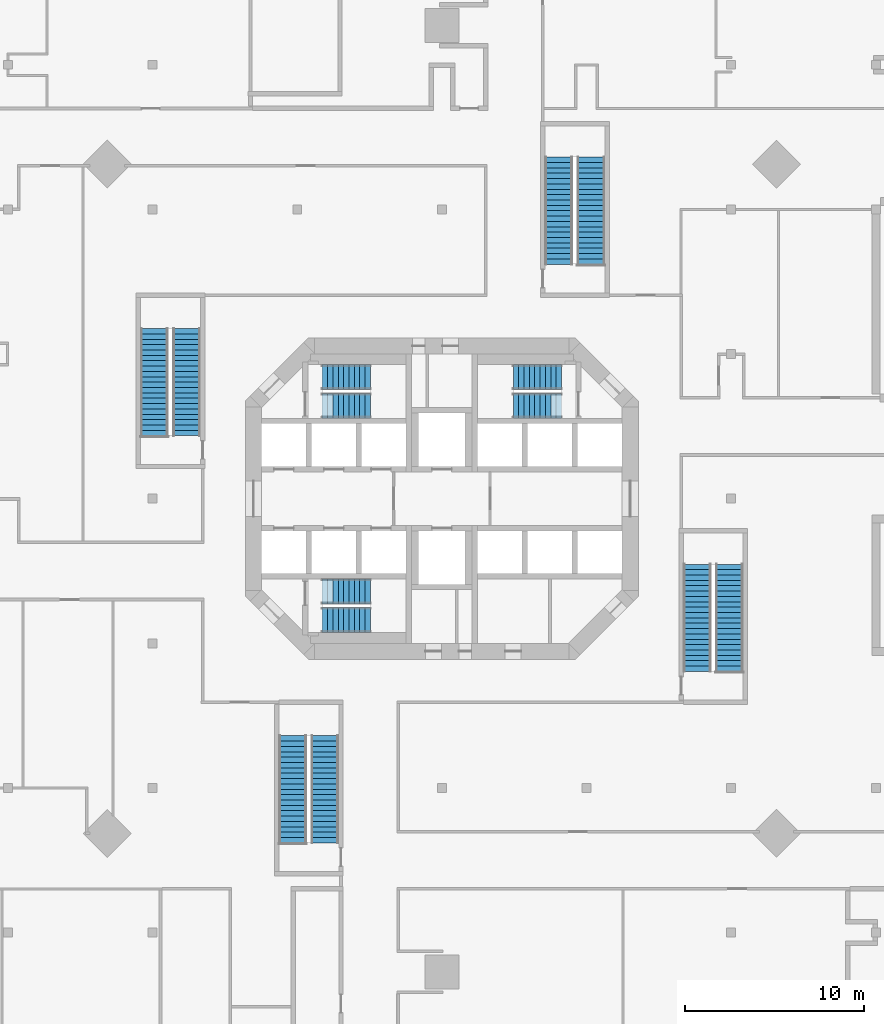
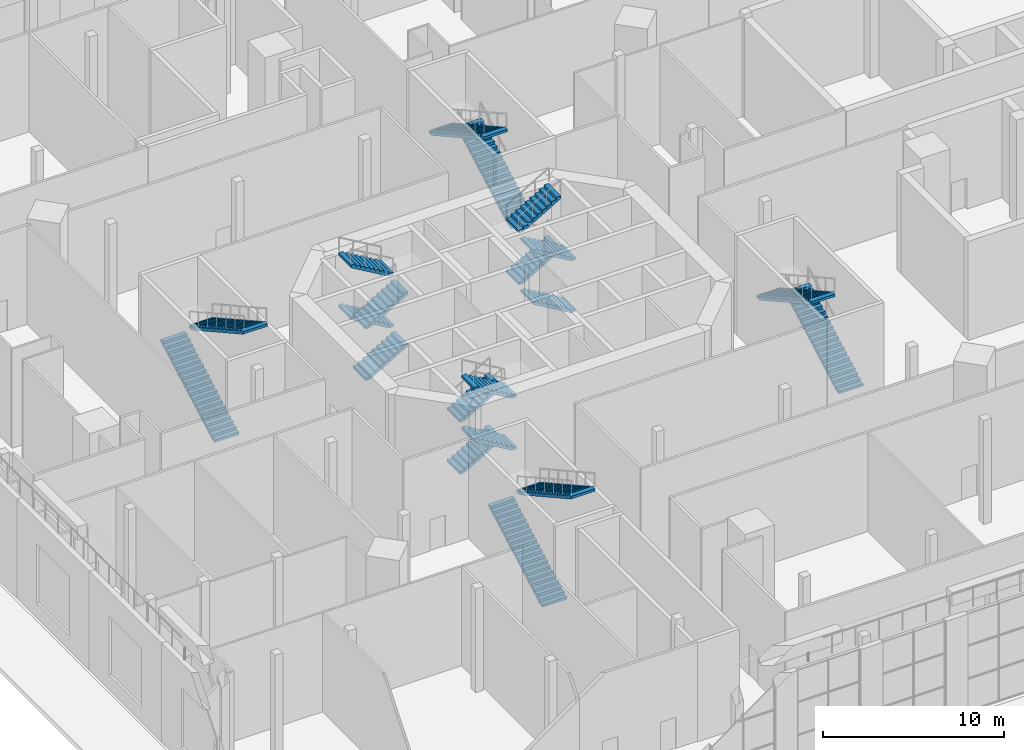
# One storey, part 17 of 21: 20 stair flights, 7 elements without a shape of their own.
"""IFC4 building model written with IfcOpenShell, lengths in metres."""

from ifc_helpers import new_model, si_unit, direction, frame, origin, place, context, subcontext, project, spatial, polyline, outline, extrude, material, type_object, element, aggregate, save


model = new_model("IFC4")

# Units and contexts
model_context = context("Model", 3, precision=1e-05, world=origin(), true_north=direction((0.0, 1.0)))
body_context = subcontext(model_context, "Body", "Model", "MODEL_VIEW")
ifc_project = project(units=[si_unit("LENGTHUNIT", "METRE"), si_unit("AREAUNIT", "SQUARE_METRE"), si_unit("VOLUMEUNIT", "CUBIC_METRE"), si_unit("PLANEANGLEUNIT", "RADIAN"), si_unit("MASSUNIT", "GRAM", prefix="KILO")], contexts=[model_context])

# Site, building, storey
site_placement = place(None, origin())
site = spatial("IfcSite", under=ifc_project, at=site_placement, CompositionType="ELEMENT")
building_placement = place(site_placement, origin())
building = spatial("IfcBuilding", under=site, at=building_placement, Name="Torre Triforio", CompositionType="ELEMENT")
storey_placement = place(building_placement, frame((0.0, 0.0, 6.0)))
storey = spatial("IfcBuildingStorey", under=building, at=storey_placement, Name="L01", CompositionType="ELEMENT", Elevation=6.0)

# Stair, stair flights
ifc_material = material(Name="Concrete C40", Category="concrete")
stair_type_1 = type_object("IfcStairType", Name="Egress stair 1400 clear", PredefinedType="NOTDEFINED", material=ifc_material)
stair_1_placement = place(storey_placement, origin())
stair_1 = element("IfcStair", 1, at=stair_1_placement, inside=storey, type_object=stair_type_1, Name="Exit stair PS1 L01 to L02", PredefinedType="NOTDEFINED")
stair_flight_type_1 = type_object("IfcStairFlightType", Name="Egress stair flight 1400", PredefinedType="STRAIGHT", material=ifc_material)
stair_flight_1_placement = place(storey_placement, frame((-16.10009765625, 3.52490234375, 0.0), z_axis=(0.0, 0.0, 1.0), x_axis=(0.0, 1.0, 0.0)))
stair_flight_1 = element("IfcStairFlight", 2, at=stair_flight_1_placement, type_object=stair_flight_type_1, Name="PS1 flight 1", NumberOfRisers=21, NumberOfTreads=20, PredefinedType="STRAIGHT", RiserHeight=0.166666667, TreadLength=0.3, context=body_context, shape_type="SweptSolid", body=[
    extrude(outline(polyline([(0.0, 0.0), (0.0, 0.166748046875), (0.300048828125, 0.166748046875), (0.300048828125, 0.333251953125), (0.60009765625, 0.333251953125), (0.60009765625, 0.5), (0.89990234375, 0.5), (0.89990234375, 0.666748046875), (1.199951171875, 0.666748046875), (1.199951171875, 0.833251953125), (1.5, 0.833251953125), (1.5, 1.0), (1.800048828125, 1.0), (1.800048828125, 1.166748046875), (2.10009765625, 1.166748046875), (2.10009765625, 1.333251953125), (2.39990234375, 1.333251953125), (2.39990234375, 1.5), (2.699951171875, 1.5), (2.699951171875, 1.666748046875), (3.0, 1.666748046875), (3.0, 1.833251953125), (3.300048828125, 1.833251953125), (3.300048828125, 2.0), (3.60009765625, 2.0), (3.60009765625, 2.166748046875), (3.89990234375, 2.166748046875), (3.89990234375, 2.333251953125), (4.199951171875, 2.333251953125), (4.199951171875, 2.5), (4.5, 2.5), (4.5, 2.666748046875), (4.800048828125, 2.666748046875), (4.800048828125, 2.833251953125), (5.10009765625, 2.833251953125), (5.10009765625, 3.0), (5.39990234375, 3.0), (5.39990234375, 3.166748046875), (5.699951171875, 3.166748046875), (5.699951171875, 3.333251953125), (6.0, 3.333251953125), (6.0, 3.5), (6.0, 3.161865234375), (0.30859375, 0.0), (0.0, 0.0)])), frame((0.0, 0.77490234375, 0.0), z_axis=(0.0, -1.0, 0.0), x_axis=(1.0, 0.0, 0.0)), (0.0, 0.0, 1.0), 1.550048828125),
])
stair_flight_2_placement = place(storey_placement, frame((-14.300048828125, 9.52490234375, 3.5), z_axis=(0.0, 0.0, 1.0), x_axis=(0.0, -1.0, 0.0)))
stair_flight_2 = element("IfcStairFlight", 3, at=stair_flight_2_placement, type_object=stair_flight_type_1, Name="PS1 flight 2", NumberOfRisers=21, NumberOfTreads=20, PredefinedType="STRAIGHT", RiserHeight=0.166666667, TreadLength=0.3, context=body_context, shape_type="SweptSolid", body=[
    extrude(outline(polyline([(0.0, 0.0), (0.0, 0.166748046875), (0.300048828125, 0.166748046875), (0.300048828125, 0.333251953125), (0.60009765625, 0.333251953125), (0.60009765625, 0.5), (0.89990234375, 0.5), (0.89990234375, 0.666748046875), (1.199951171875, 0.666748046875), (1.199951171875, 0.833251953125), (1.5, 0.833251953125), (1.5, 1.0), (1.800048828125, 1.0), (1.800048828125, 1.166748046875), (2.10009765625, 1.166748046875), (2.10009765625, 1.333251953125), (2.39990234375, 1.333251953125), (2.39990234375, 1.5), (2.699951171875, 1.5), (2.699951171875, 1.666748046875), (3.0, 1.666748046875), (3.0, 1.833251953125), (3.300048828125, 1.833251953125), (3.300048828125, 2.0), (3.60009765625, 2.0), (3.60009765625, 2.166748046875), (3.89990234375, 2.166748046875), (3.89990234375, 2.333251953125), (4.199951171875, 2.333251953125), (4.199951171875, 2.5), (4.5, 2.5), (4.5, 2.666748046875), (4.800048828125, 2.666748046875), (4.800048828125, 2.833251953125), (5.10009765625, 2.833251953125), (5.10009765625, 3.0), (5.39990234375, 3.0), (5.39990234375, 3.166748046875), (5.699951171875, 3.166748046875), (5.699951171875, 3.333251953125), (6.0, 3.333251953125), (6.0, 3.5), (6.0, 3.161865234375), (0.30859375, 0.0), (0.0, 0.0)])), frame((0.0, 0.77490234375, 0.0), z_axis=(0.0, -1.0, 0.0), x_axis=(1.0, 0.0, 0.0)), (0.0, 0.0, 1.0), 1.550048828125),
])
aggregate(stair_1, [stair_flight_1, stair_flight_2])

stair_2_placement = place(storey_placement, origin())
stair_2 = element("IfcStair", 4, at=stair_2_placement, inside=storey, type_object=stair_type_1, Name="Exit stair PS2 L01 to L02", PredefinedType="NOTDEFINED")
stair_flight_3_placement = place(storey_placement, frame((16.10009765625, -9.675048828125, 0.0), z_axis=(0.0, 0.0, 1.0), x_axis=(0.0, 1.0, 0.0)))
stair_flight_3 = element("IfcStairFlight", 5, at=stair_flight_3_placement, type_object=stair_flight_type_1, Name="PS2 flight 1", NumberOfRisers=21, NumberOfTreads=20, PredefinedType="STRAIGHT", RiserHeight=0.166666667, TreadLength=0.3, context=body_context, shape_type="SweptSolid", body=[
    extrude(outline(polyline([(0.0, 0.0), (0.0, 0.166748046875), (0.300048828125, 0.166748046875), (0.300048828125, 0.333251953125), (0.60009765625, 0.333251953125), (0.60009765625, 0.5), (0.89990234375, 0.5), (0.89990234375, 0.666748046875), (1.199951171875, 0.666748046875), (1.199951171875, 0.833251953125), (1.5, 0.833251953125), (1.5, 1.0), (1.800048828125, 1.0), (1.800048828125, 1.166748046875), (2.10009765625, 1.166748046875), (2.10009765625, 1.333251953125), (2.39990234375, 1.333251953125), (2.39990234375, 1.5), (2.699951171875, 1.5), (2.699951171875, 1.666748046875), (3.0, 1.666748046875), (3.0, 1.833251953125), (3.300048828125, 1.833251953125), (3.300048828125, 2.0), (3.60009765625, 2.0), (3.60009765625, 2.166748046875), (3.89990234375, 2.166748046875), (3.89990234375, 2.333251953125), (4.199951171875, 2.333251953125), (4.199951171875, 2.5), (4.5, 2.5), (4.5, 2.666748046875), (4.800048828125, 2.666748046875), (4.800048828125, 2.833251953125), (5.10009765625, 2.833251953125), (5.10009765625, 3.0), (5.39990234375, 3.0), (5.39990234375, 3.166748046875), (5.699951171875, 3.166748046875), (5.699951171875, 3.333251953125), (6.0, 3.333251953125), (6.0, 3.5), (6.0, 3.161865234375), (0.30859375, 0.0), (0.0, 0.0)])), frame((0.0, 0.77490234375, 0.0), z_axis=(0.0, -1.0, 0.0), x_axis=(1.0, 0.0, 0.0)), (0.0, 0.0, 1.0), 1.550048828125),
])
stair_flight_4_placement = place(storey_placement, frame((14.300048828125, -3.675048828125, 3.5), z_axis=(0.0, 0.0, 1.0), x_axis=(0.0, -1.0, 0.0)))
stair_flight_4 = element("IfcStairFlight", 6, at=stair_flight_4_placement, type_object=stair_flight_type_1, Name="PS2 flight 2", NumberOfRisers=21, NumberOfTreads=20, PredefinedType="STRAIGHT", RiserHeight=0.166666667, TreadLength=0.3, context=body_context, shape_type="SweptSolid", body=[
    extrude(outline(polyline([(0.0, 0.0), (0.0, 0.166748046875), (0.300048828125, 0.166748046875), (0.300048828125, 0.333251953125), (0.60009765625, 0.333251953125), (0.60009765625, 0.5), (0.89990234375, 0.5), (0.89990234375, 0.666748046875), (1.199951171875, 0.666748046875), (1.199951171875, 0.833251953125), (1.5, 0.833251953125), (1.5, 1.0), (1.800048828125, 1.0), (1.800048828125, 1.166748046875), (2.10009765625, 1.166748046875), (2.10009765625, 1.333251953125), (2.39990234375, 1.333251953125), (2.39990234375, 1.5), (2.699951171875, 1.5), (2.699951171875, 1.666748046875), (3.0, 1.666748046875), (3.0, 1.833251953125), (3.300048828125, 1.833251953125), (3.300048828125, 2.0), (3.60009765625, 2.0), (3.60009765625, 2.166748046875), (3.89990234375, 2.166748046875), (3.89990234375, 2.333251953125), (4.199951171875, 2.333251953125), (4.199951171875, 2.5), (4.5, 2.5), (4.5, 2.666748046875), (4.800048828125, 2.666748046875), (4.800048828125, 2.833251953125), (5.10009765625, 2.833251953125), (5.10009765625, 3.0), (5.39990234375, 3.0), (5.39990234375, 3.166748046875), (5.699951171875, 3.166748046875), (5.699951171875, 3.333251953125), (6.0, 3.333251953125), (6.0, 3.5), (6.0, 3.161865234375), (0.30859375, 0.0), (0.0, 0.0)])), frame((0.0, 0.77490234375, 0.0), z_axis=(0.0, -1.0, 0.0), x_axis=(1.0, 0.0, 0.0)), (0.0, 0.0, 1.0), 1.550048828125),
])
aggregate(stair_2, [stair_flight_3, stair_flight_4])

stair_3_placement = place(storey_placement, origin())
stair_3 = element("IfcStair", 7, at=stair_3_placement, inside=storey, type_object=stair_type_1, Name="Exit stair PS3 L01 to L02", PredefinedType="NOTDEFINED")
stair_flight_5_placement = place(storey_placement, frame((-8.35009765625, -19.27490234375, 0.0), z_axis=(0.0, 0.0, 1.0), x_axis=(0.0, 1.0, 0.0)))
stair_flight_5 = element("IfcStairFlight", 8, at=stair_flight_5_placement, type_object=stair_flight_type_1, Name="PS3 flight 1", NumberOfRisers=21, NumberOfTreads=20, PredefinedType="STRAIGHT", RiserHeight=0.166666667, TreadLength=0.3, context=body_context, shape_type="SweptSolid", body=[
    extrude(outline(polyline([(0.0, 0.0), (0.0, 0.166748046875), (0.300048828125, 0.166748046875), (0.300048828125, 0.333251953125), (0.60009765625, 0.333251953125), (0.60009765625, 0.5), (0.89990234375, 0.5), (0.89990234375, 0.666748046875), (1.199951171875, 0.666748046875), (1.199951171875, 0.833251953125), (1.5, 0.833251953125), (1.5, 1.0), (1.800048828125, 1.0), (1.800048828125, 1.166748046875), (2.10009765625, 1.166748046875), (2.10009765625, 1.333251953125), (2.39990234375, 1.333251953125), (2.39990234375, 1.5), (2.699951171875, 1.5), (2.699951171875, 1.666748046875), (3.0, 1.666748046875), (3.0, 1.833251953125), (3.300048828125, 1.833251953125), (3.300048828125, 2.0), (3.60009765625, 2.0), (3.60009765625, 2.166748046875), (3.89990234375, 2.166748046875), (3.89990234375, 2.333251953125), (4.199951171875, 2.333251953125), (4.199951171875, 2.5), (4.5, 2.5), (4.5, 2.666748046875), (4.800048828125, 2.666748046875), (4.800048828125, 2.833251953125), (5.10009765625, 2.833251953125), (5.10009765625, 3.0), (5.39990234375, 3.0), (5.39990234375, 3.166748046875), (5.699951171875, 3.166748046875), (5.699951171875, 3.333251953125), (6.0, 3.333251953125), (6.0, 3.5), (6.0, 3.161865234375), (0.30859375, 0.0), (0.0, 0.0)])), frame((0.0, 0.77490234375, 0.0), z_axis=(0.0, -1.0, 0.0), x_axis=(1.0, 0.0, 0.0)), (0.0, 0.0, 1.0), 1.550048828125),
])
stair_flight_6_placement = place(storey_placement, frame((-6.550048828125, -13.27490234375, 3.5), z_axis=(0.0, 0.0, 1.0), x_axis=(0.0, -1.0, 0.0)))
stair_flight_6 = element("IfcStairFlight", 9, at=stair_flight_6_placement, type_object=stair_flight_type_1, Name="PS3 flight 2", NumberOfRisers=21, NumberOfTreads=20, PredefinedType="STRAIGHT", RiserHeight=0.166666667, TreadLength=0.3, context=body_context, shape_type="SweptSolid", body=[
    extrude(outline(polyline([(0.0, 0.0), (0.0, 0.166748046875), (0.300048828125, 0.166748046875), (0.300048828125, 0.333251953125), (0.60009765625, 0.333251953125), (0.60009765625, 0.5), (0.89990234375, 0.5), (0.89990234375, 0.666748046875), (1.199951171875, 0.666748046875), (1.199951171875, 0.833251953125), (1.5, 0.833251953125), (1.5, 1.0), (1.800048828125, 1.0), (1.800048828125, 1.166748046875), (2.10009765625, 1.166748046875), (2.10009765625, 1.333251953125), (2.39990234375, 1.333251953125), (2.39990234375, 1.5), (2.699951171875, 1.5), (2.699951171875, 1.666748046875), (3.0, 1.666748046875), (3.0, 1.833251953125), (3.300048828125, 1.833251953125), (3.300048828125, 2.0), (3.60009765625, 2.0), (3.60009765625, 2.166748046875), (3.89990234375, 2.166748046875), (3.89990234375, 2.333251953125), (4.199951171875, 2.333251953125), (4.199951171875, 2.5), (4.5, 2.5), (4.5, 2.666748046875), (4.800048828125, 2.666748046875), (4.800048828125, 2.833251953125), (5.10009765625, 2.833251953125), (5.10009765625, 3.0), (5.39990234375, 3.0), (5.39990234375, 3.166748046875), (5.699951171875, 3.166748046875), (5.699951171875, 3.333251953125), (6.0, 3.333251953125), (6.0, 3.5), (6.0, 3.161865234375), (0.30859375, 0.0), (0.0, 0.0)])), frame((0.0, 0.77490234375, 0.0), z_axis=(0.0, -1.0, 0.0), x_axis=(1.0, 0.0, 0.0)), (0.0, 0.0, 1.0), 1.550048828125),
])
aggregate(stair_3, [stair_flight_5, stair_flight_6])

stair_4_placement = place(storey_placement, origin())
stair_4 = element("IfcStair", 10, at=stair_4_placement, inside=storey, type_object=stair_type_1, Name="Exit stair PS4 L01 to L02", PredefinedType="NOTDEFINED")
stair_flight_7_placement = place(storey_placement, frame((8.35009765625, 13.125, 0.0), z_axis=(0.0, 0.0, 1.0), x_axis=(0.0, 1.0, 0.0)))
stair_flight_7 = element("IfcStairFlight", 11, at=stair_flight_7_placement, type_object=stair_flight_type_1, Name="PS4 flight 1", NumberOfRisers=21, NumberOfTreads=20, PredefinedType="STRAIGHT", RiserHeight=0.166666667, TreadLength=0.3, context=body_context, shape_type="SweptSolid", body=[
    extrude(outline(polyline([(0.0, 0.0), (0.0, 0.166748046875), (0.300048828125, 0.166748046875), (0.300048828125, 0.333251953125), (0.60009765625, 0.333251953125), (0.60009765625, 0.5), (0.89990234375, 0.5), (0.89990234375, 0.666748046875), (1.199951171875, 0.666748046875), (1.199951171875, 0.833251953125), (1.5, 0.833251953125), (1.5, 1.0), (1.800048828125, 1.0), (1.800048828125, 1.166748046875), (2.10009765625, 1.166748046875), (2.10009765625, 1.333251953125), (2.39990234375, 1.333251953125), (2.39990234375, 1.5), (2.699951171875, 1.5), (2.699951171875, 1.666748046875), (3.0, 1.666748046875), (3.0, 1.833251953125), (3.300048828125, 1.833251953125), (3.300048828125, 2.0), (3.60009765625, 2.0), (3.60009765625, 2.166748046875), (3.89990234375, 2.166748046875), (3.89990234375, 2.333251953125), (4.199951171875, 2.333251953125), (4.199951171875, 2.5), (4.5, 2.5), (4.5, 2.666748046875), (4.800048828125, 2.666748046875), (4.800048828125, 2.833251953125), (5.10009765625, 2.833251953125), (5.10009765625, 3.0), (5.39990234375, 3.0), (5.39990234375, 3.166748046875), (5.699951171875, 3.166748046875), (5.699951171875, 3.333251953125), (6.0, 3.333251953125), (6.0, 3.5), (6.0, 3.161865234375), (0.30859375, 0.0), (0.0, 0.0)])), frame((0.0, 0.77490234375, 0.0), z_axis=(0.0, -1.0, 0.0), x_axis=(1.0, 0.0, 0.0)), (0.0, 0.0, 1.0), 1.550048828125),
])
stair_flight_8_placement = place(storey_placement, frame((6.550048828125, 19.125, 3.5), z_axis=(0.0, 0.0, 1.0), x_axis=(0.0, -1.0, 0.0)))
stair_flight_8 = element("IfcStairFlight", 12, at=stair_flight_8_placement, type_object=stair_flight_type_1, Name="PS4 flight 2", NumberOfRisers=21, NumberOfTreads=20, PredefinedType="STRAIGHT", RiserHeight=0.166666667, TreadLength=0.3, context=body_context, shape_type="SweptSolid", body=[
    extrude(outline(polyline([(0.0, 0.0), (0.0, 0.166748046875), (0.300048828125, 0.166748046875), (0.300048828125, 0.333251953125), (0.60009765625, 0.333251953125), (0.60009765625, 0.5), (0.89990234375, 0.5), (0.89990234375, 0.666748046875), (1.199951171875, 0.666748046875), (1.199951171875, 0.833251953125), (1.5, 0.833251953125), (1.5, 1.0), (1.800048828125, 1.0), (1.800048828125, 1.166748046875), (2.10009765625, 1.166748046875), (2.10009765625, 1.333251953125), (2.39990234375, 1.333251953125), (2.39990234375, 1.5), (2.699951171875, 1.5), (2.699951171875, 1.666748046875), (3.0, 1.666748046875), (3.0, 1.833251953125), (3.300048828125, 1.833251953125), (3.300048828125, 2.0), (3.60009765625, 2.0), (3.60009765625, 2.166748046875), (3.89990234375, 2.166748046875), (3.89990234375, 2.333251953125), (4.199951171875, 2.333251953125), (4.199951171875, 2.5), (4.5, 2.5), (4.5, 2.666748046875), (4.800048828125, 2.666748046875), (4.800048828125, 2.833251953125), (5.10009765625, 2.833251953125), (5.10009765625, 3.0), (5.39990234375, 3.0), (5.39990234375, 3.166748046875), (5.699951171875, 3.166748046875), (5.699951171875, 3.333251953125), (6.0, 3.333251953125), (6.0, 3.5), (6.0, 3.161865234375), (0.30859375, 0.0), (0.0, 0.0)])), frame((0.0, 0.77490234375, 0.0), z_axis=(0.0, -1.0, 0.0), x_axis=(1.0, 0.0, 0.0)), (0.0, 0.0, 1.0), 1.550048828125),
])
aggregate(stair_4, [stair_flight_7, stair_flight_8])

stair_type_2 = type_object("IfcStairType", Name="STAIR DOUBLE RETURN", PredefinedType="DOUBLE_RETURN_STAIR", material=ifc_material)
stair_5_placement = place(storey_placement, origin())
stair_5 = element("IfcStair", 13, at=stair_5_placement, inside=storey, type_object=stair_type_2, Name="Exit stair 1", PredefinedType="DOUBLE_RETURN_STAIR")
stair_flight_type_2 = type_object("IfcStairFlightType", Name="STAIR FLIGHT 1400", PredefinedType="STRAIGHT", material=ifc_material)
stair_flight_9_placement = place(storey_placement, frame((-6.699951171875, 5.199951171875, 0.0), z_axis=(0.0, 0.0, 1.0), x_axis=(1.0, 0.0, 0.0)))
stair_flight_9 = element("IfcStairFlight", 14, at=stair_flight_9_placement, type_object=stair_flight_type_2, Name="ST1 flight 1", NumberOfRisers=10, NumberOfTreads=9, PredefinedType="STRAIGHT", RiserHeight=0.175, TreadLength=0.3, context=body_context, shape_type="SweptSolid", body=[
    extrude(outline(polyline([(0.0, 0.0), (0.0, 0.175048828125), (0.300048828125, 0.175048828125), (0.300048828125, 0.35009765625), (0.60009765625, 0.35009765625), (0.60009765625, 0.52490234375), (0.89990234375, 0.52490234375), (0.89990234375, 0.699951171875), (1.199951171875, 0.699951171875), (1.199951171875, 0.875), (1.5, 0.875), (1.5, 1.050048828125), (1.800048828125, 1.050048828125), (1.800048828125, 1.22509765625), (2.10009765625, 1.22509765625), (2.10009765625, 1.39990234375), (2.39990234375, 1.39990234375), (2.39990234375, 1.574951171875), (2.699951171875, 1.574951171875), (2.699951171875, 1.75), (2.699951171875, 1.4013671875), (0.297607421875, 0.0), (0.0, 0.0)])), frame((0.0, 0.699951171875, 0.0), z_axis=(0.0, -1.0, 0.0), x_axis=(1.0, 0.0, 0.0)), (0.0, 0.0, 1.0), 1.39990234375),
])
stair_flight_10_placement = place(storey_placement, frame((-4.0, 6.800048828125, 1.75), z_axis=(0.0, 0.0, 1.0), x_axis=(-1.0, 0.0, 0.0)))
stair_flight_10 = element("IfcStairFlight", 15, at=stair_flight_10_placement, type_object=stair_flight_type_2, Name="ST1 flight 2", NumberOfRisers=10, NumberOfTreads=9, PredefinedType="STRAIGHT", RiserHeight=0.175, TreadLength=0.3, context=body_context, shape_type="SweptSolid", body=[
    extrude(outline(polyline([(0.0, 0.0), (0.0, 0.175048828125), (0.300048828125, 0.175048828125), (0.300048828125, 0.35009765625), (0.60009765625, 0.35009765625), (0.60009765625, 0.52490234375), (0.89990234375, 0.52490234375), (0.89990234375, 0.699951171875), (1.199951171875, 0.699951171875), (1.199951171875, 0.875), (1.5, 0.875), (1.5, 1.050048828125), (1.800048828125, 1.050048828125), (1.800048828125, 1.22509765625), (2.10009765625, 1.22509765625), (2.10009765625, 1.39990234375), (2.39990234375, 1.39990234375), (2.39990234375, 1.574951171875), (2.699951171875, 1.574951171875), (2.699951171875, 1.75), (2.699951171875, 1.4013671875), (0.297607421875, 0.0), (0.0, 0.0)])), frame((0.0, 0.699951171875, 0.0), z_axis=(0.0, -1.0, 0.0), x_axis=(1.0, 0.0, 0.0)), (0.0, 0.0, 1.0), 1.39990234375),
])
stair_flight_11_placement = place(storey_placement, frame((-6.699951171875, 5.199951171875, 3.5), z_axis=(0.0, 0.0, 1.0), x_axis=(1.0, 0.0, 0.0)))
stair_flight_11 = element("IfcStairFlight", 16, at=stair_flight_11_placement, type_object=stair_flight_type_2, Name="ST1 flight 3", NumberOfRisers=10, NumberOfTreads=9, PredefinedType="STRAIGHT", RiserHeight=0.175, TreadLength=0.3, context=body_context, shape_type="SweptSolid", body=[
    extrude(outline(polyline([(0.0, 0.0), (0.0, 0.175048828125), (0.300048828125, 0.175048828125), (0.300048828125, 0.35009765625), (0.60009765625, 0.35009765625), (0.60009765625, 0.52490234375), (0.89990234375, 0.52490234375), (0.89990234375, 0.699951171875), (1.199951171875, 0.699951171875), (1.199951171875, 0.875), (1.5, 0.875), (1.5, 1.050048828125), (1.800048828125, 1.050048828125), (1.800048828125, 1.22509765625), (2.10009765625, 1.22509765625), (2.10009765625, 1.39990234375), (2.39990234375, 1.39990234375), (2.39990234375, 1.574951171875), (2.699951171875, 1.574951171875), (2.699951171875, 1.75), (2.699951171875, 1.4013671875), (0.297607421875, 0.0), (0.0, 0.0)])), frame((0.0, 0.699951171875, 0.0), z_axis=(0.0, -1.0, 0.0), x_axis=(1.0, 0.0, 0.0)), (0.0, 0.0, 1.0), 1.39990234375),
])
stair_flight_12_placement = place(storey_placement, frame((-4.0, 6.800048828125, 5.25), z_axis=(0.0, 0.0, 1.0), x_axis=(-1.0, 0.0, 0.0)))
stair_flight_12 = element("IfcStairFlight", 17, at=stair_flight_12_placement, type_object=stair_flight_type_2, Name="ST1 flight 4", NumberOfRisers=10, NumberOfTreads=9, PredefinedType="STRAIGHT", RiserHeight=0.175, TreadLength=0.3, context=body_context, shape_type="SweptSolid", body=[
    extrude(outline(polyline([(0.0, 0.0), (0.0, 0.175048828125), (0.300048828125, 0.175048828125), (0.300048828125, 0.35009765625), (0.60009765625, 0.35009765625), (0.60009765625, 0.52490234375), (0.89990234375, 0.52490234375), (0.89990234375, 0.699951171875), (1.199951171875, 0.699951171875), (1.199951171875, 0.875), (1.5, 0.875), (1.5, 1.050048828125), (1.800048828125, 1.050048828125), (1.800048828125, 1.22509765625), (2.10009765625, 1.22509765625), (2.10009765625, 1.39990234375), (2.39990234375, 1.39990234375), (2.39990234375, 1.574951171875), (2.699951171875, 1.574951171875), (2.699951171875, 1.75), (2.699951171875, 1.4013671875), (0.297607421875, 0.0), (0.0, 0.0)])), frame((0.0, 0.699951171875, 0.0), z_axis=(0.0, -1.0, 0.0), x_axis=(1.0, 0.0, 0.0)), (0.0, 0.0, 1.0), 1.39990234375),
])
aggregate(stair_5, [stair_flight_9, stair_flight_10, stair_flight_11, stair_flight_12])

stair_6_placement = place(storey_placement, origin())
stair_6 = element("IfcStair", 18, at=stair_6_placement, inside=storey, type_object=stair_type_2, Name="Exit stair 2", PredefinedType="DOUBLE_RETURN_STAIR")
stair_flight_13_placement = place(storey_placement, frame((6.699951171875, 5.199951171875, 0.0), z_axis=(0.0, 0.0, 1.0), x_axis=(-1.0, 0.0, 0.0)))
stair_flight_13 = element("IfcStairFlight", 19, at=stair_flight_13_placement, type_object=stair_flight_type_2, Name="ST2 flight 1", NumberOfRisers=10, NumberOfTreads=9, PredefinedType="STRAIGHT", RiserHeight=0.175, TreadLength=0.3, context=body_context, shape_type="SweptSolid", body=[
    extrude(outline(polyline([(0.0, 0.0), (0.0, 0.175048828125), (0.300048828125, 0.175048828125), (0.300048828125, 0.35009765625), (0.60009765625, 0.35009765625), (0.60009765625, 0.52490234375), (0.89990234375, 0.52490234375), (0.89990234375, 0.699951171875), (1.199951171875, 0.699951171875), (1.199951171875, 0.875), (1.5, 0.875), (1.5, 1.050048828125), (1.800048828125, 1.050048828125), (1.800048828125, 1.22509765625), (2.10009765625, 1.22509765625), (2.10009765625, 1.39990234375), (2.39990234375, 1.39990234375), (2.39990234375, 1.574951171875), (2.699951171875, 1.574951171875), (2.699951171875, 1.75), (2.699951171875, 1.4013671875), (0.297607421875, 0.0), (0.0, 0.0)])), frame((0.0, 0.699951171875, 0.0), z_axis=(0.0, -1.0, 0.0), x_axis=(1.0, 0.0, 0.0)), (0.0, 0.0, 1.0), 1.39990234375),
])
stair_flight_14_placement = place(storey_placement, frame((4.0, 6.800048828125, 1.75), z_axis=(0.0, 0.0, 1.0), x_axis=(1.0, 0.0, 0.0)))
stair_flight_14 = element("IfcStairFlight", 20, at=stair_flight_14_placement, type_object=stair_flight_type_2, Name="ST2 flight 2", NumberOfRisers=10, NumberOfTreads=9, PredefinedType="STRAIGHT", RiserHeight=0.175, TreadLength=0.3, context=body_context, shape_type="SweptSolid", body=[
    extrude(outline(polyline([(0.0, 0.0), (0.0, 0.175048828125), (0.300048828125, 0.175048828125), (0.300048828125, 0.35009765625), (0.60009765625, 0.35009765625), (0.60009765625, 0.52490234375), (0.89990234375, 0.52490234375), (0.89990234375, 0.699951171875), (1.199951171875, 0.699951171875), (1.199951171875, 0.875), (1.5, 0.875), (1.5, 1.050048828125), (1.800048828125, 1.050048828125), (1.800048828125, 1.22509765625), (2.10009765625, 1.22509765625), (2.10009765625, 1.39990234375), (2.39990234375, 1.39990234375), (2.39990234375, 1.574951171875), (2.699951171875, 1.574951171875), (2.699951171875, 1.75), (2.699951171875, 1.4013671875), (0.297607421875, 0.0), (0.0, 0.0)])), frame((0.0, 0.699951171875, 0.0), z_axis=(0.0, -1.0, 0.0), x_axis=(1.0, 0.0, 0.0)), (0.0, 0.0, 1.0), 1.39990234375),
])
stair_flight_15_placement = place(storey_placement, frame((6.699951171875, 5.199951171875, 3.5), z_axis=(0.0, 0.0, 1.0), x_axis=(-1.0, 0.0, 0.0)))
stair_flight_15 = element("IfcStairFlight", 21, at=stair_flight_15_placement, type_object=stair_flight_type_2, Name="ST2 flight 3", NumberOfRisers=10, NumberOfTreads=9, PredefinedType="STRAIGHT", RiserHeight=0.175, TreadLength=0.3, context=body_context, shape_type="SweptSolid", body=[
    extrude(outline(polyline([(0.0, 0.0), (0.0, 0.175048828125), (0.300048828125, 0.175048828125), (0.300048828125, 0.35009765625), (0.60009765625, 0.35009765625), (0.60009765625, 0.52490234375), (0.89990234375, 0.52490234375), (0.89990234375, 0.699951171875), (1.199951171875, 0.699951171875), (1.199951171875, 0.875), (1.5, 0.875), (1.5, 1.050048828125), (1.800048828125, 1.050048828125), (1.800048828125, 1.22509765625), (2.10009765625, 1.22509765625), (2.10009765625, 1.39990234375), (2.39990234375, 1.39990234375), (2.39990234375, 1.574951171875), (2.699951171875, 1.574951171875), (2.699951171875, 1.75), (2.699951171875, 1.4013671875), (0.297607421875, 0.0), (0.0, 0.0)])), frame((0.0, 0.699951171875, 0.0), z_axis=(0.0, -1.0, 0.0), x_axis=(1.0, 0.0, 0.0)), (0.0, 0.0, 1.0), 1.39990234375),
])
stair_flight_16_placement = place(storey_placement, frame((4.0, 6.800048828125, 5.25), z_axis=(0.0, 0.0, 1.0), x_axis=(1.0, 0.0, 0.0)))
stair_flight_16 = element("IfcStairFlight", 22, at=stair_flight_16_placement, type_object=stair_flight_type_2, Name="ST2 flight 4", NumberOfRisers=10, NumberOfTreads=9, PredefinedType="STRAIGHT", RiserHeight=0.175, TreadLength=0.3, context=body_context, shape_type="SweptSolid", body=[
    extrude(outline(polyline([(0.0, 0.0), (0.0, 0.175048828125), (0.300048828125, 0.175048828125), (0.300048828125, 0.35009765625), (0.60009765625, 0.35009765625), (0.60009765625, 0.52490234375), (0.89990234375, 0.52490234375), (0.89990234375, 0.699951171875), (1.199951171875, 0.699951171875), (1.199951171875, 0.875), (1.5, 0.875), (1.5, 1.050048828125), (1.800048828125, 1.050048828125), (1.800048828125, 1.22509765625), (2.10009765625, 1.22509765625), (2.10009765625, 1.39990234375), (2.39990234375, 1.39990234375), (2.39990234375, 1.574951171875), (2.699951171875, 1.574951171875), (2.699951171875, 1.75), (2.699951171875, 1.4013671875), (0.297607421875, 0.0), (0.0, 0.0)])), frame((0.0, 0.699951171875, 0.0), z_axis=(0.0, -1.0, 0.0), x_axis=(1.0, 0.0, 0.0)), (0.0, 0.0, 1.0), 1.39990234375),
])
aggregate(stair_6, [stair_flight_13, stair_flight_14, stair_flight_15, stair_flight_16])

stair_7_placement = place(storey_placement, origin())
stair_7 = element("IfcStair", 23, at=stair_7_placement, inside=storey, type_object=stair_type_2, Name="Exit stair 3", PredefinedType="DOUBLE_RETURN_STAIR")
stair_flight_17_placement = place(storey_placement, frame((-6.699951171875, -5.199951171875, 0.0), z_axis=(0.0, 0.0, 1.0), x_axis=(1.0, 0.0, 0.0)))
stair_flight_17 = element("IfcStairFlight", 24, at=stair_flight_17_placement, type_object=stair_flight_type_2, Name="ST3 flight 1", NumberOfRisers=10, NumberOfTreads=9, PredefinedType="STRAIGHT", RiserHeight=0.175, TreadLength=0.3, context=body_context, shape_type="SweptSolid", body=[
    extrude(outline(polyline([(0.0, 0.0), (0.0, 0.175048828125), (0.300048828125, 0.175048828125), (0.300048828125, 0.35009765625), (0.60009765625, 0.35009765625), (0.60009765625, 0.52490234375), (0.89990234375, 0.52490234375), (0.89990234375, 0.699951171875), (1.199951171875, 0.699951171875), (1.199951171875, 0.875), (1.5, 0.875), (1.5, 1.050048828125), (1.800048828125, 1.050048828125), (1.800048828125, 1.22509765625), (2.10009765625, 1.22509765625), (2.10009765625, 1.39990234375), (2.39990234375, 1.39990234375), (2.39990234375, 1.574951171875), (2.699951171875, 1.574951171875), (2.699951171875, 1.75), (2.699951171875, 1.4013671875), (0.297607421875, 0.0), (0.0, 0.0)])), frame((0.0, 0.699951171875, 0.0), z_axis=(0.0, -1.0, 0.0), x_axis=(1.0, 0.0, 0.0)), (0.0, 0.0, 1.0), 1.39990234375),
])
stair_flight_18_placement = place(storey_placement, frame((-4.0, -6.800048828125, 1.75), z_axis=(0.0, 0.0, 1.0), x_axis=(-1.0, 0.0, 0.0)))
stair_flight_18 = element("IfcStairFlight", 25, at=stair_flight_18_placement, type_object=stair_flight_type_2, Name="ST3 flight 2", NumberOfRisers=10, NumberOfTreads=9, PredefinedType="STRAIGHT", RiserHeight=0.175, TreadLength=0.3, context=body_context, shape_type="SweptSolid", body=[
    extrude(outline(polyline([(0.0, 0.0), (0.0, 0.175048828125), (0.300048828125, 0.175048828125), (0.300048828125, 0.35009765625), (0.60009765625, 0.35009765625), (0.60009765625, 0.52490234375), (0.89990234375, 0.52490234375), (0.89990234375, 0.699951171875), (1.199951171875, 0.699951171875), (1.199951171875, 0.875), (1.5, 0.875), (1.5, 1.050048828125), (1.800048828125, 1.050048828125), (1.800048828125, 1.22509765625), (2.10009765625, 1.22509765625), (2.10009765625, 1.39990234375), (2.39990234375, 1.39990234375), (2.39990234375, 1.574951171875), (2.699951171875, 1.574951171875), (2.699951171875, 1.75), (2.699951171875, 1.4013671875), (0.297607421875, 0.0), (0.0, 0.0)])), frame((0.0, 0.699951171875, 0.0), z_axis=(0.0, -1.0, 0.0), x_axis=(1.0, 0.0, 0.0)), (0.0, 0.0, 1.0), 1.39990234375),
])
stair_flight_19_placement = place(storey_placement, frame((-6.699951171875, -5.199951171875, 3.5), z_axis=(0.0, 0.0, 1.0), x_axis=(1.0, 0.0, 0.0)))
stair_flight_19 = element("IfcStairFlight", 26, at=stair_flight_19_placement, type_object=stair_flight_type_2, Name="ST3 flight 3", NumberOfRisers=10, NumberOfTreads=9, PredefinedType="STRAIGHT", RiserHeight=0.175, TreadLength=0.3, context=body_context, shape_type="SweptSolid", body=[
    extrude(outline(polyline([(0.0, 0.0), (0.0, 0.175048828125), (0.300048828125, 0.175048828125), (0.300048828125, 0.35009765625), (0.60009765625, 0.35009765625), (0.60009765625, 0.52490234375), (0.89990234375, 0.52490234375), (0.89990234375, 0.699951171875), (1.199951171875, 0.699951171875), (1.199951171875, 0.875), (1.5, 0.875), (1.5, 1.050048828125), (1.800048828125, 1.050048828125), (1.800048828125, 1.22509765625), (2.10009765625, 1.22509765625), (2.10009765625, 1.39990234375), (2.39990234375, 1.39990234375), (2.39990234375, 1.574951171875), (2.699951171875, 1.574951171875), (2.699951171875, 1.75), (2.699951171875, 1.4013671875), (0.297607421875, 0.0), (0.0, 0.0)])), frame((0.0, 0.699951171875, 0.0), z_axis=(0.0, -1.0, 0.0), x_axis=(1.0, 0.0, 0.0)), (0.0, 0.0, 1.0), 1.39990234375),
])
stair_flight_20_placement = place(storey_placement, frame((-4.0, -6.800048828125, 5.25), z_axis=(0.0, 0.0, 1.0), x_axis=(-1.0, 0.0, 0.0)))
stair_flight_20 = element("IfcStairFlight", 27, at=stair_flight_20_placement, type_object=stair_flight_type_2, Name="ST3 flight 4", NumberOfRisers=10, NumberOfTreads=9, PredefinedType="STRAIGHT", RiserHeight=0.175, TreadLength=0.3, context=body_context, shape_type="SweptSolid", body=[
    extrude(outline(polyline([(0.0, 0.0), (0.0, 0.175048828125), (0.300048828125, 0.175048828125), (0.300048828125, 0.35009765625), (0.60009765625, 0.35009765625), (0.60009765625, 0.52490234375), (0.89990234375, 0.52490234375), (0.89990234375, 0.699951171875), (1.199951171875, 0.699951171875), (1.199951171875, 0.875), (1.5, 0.875), (1.5, 1.050048828125), (1.800048828125, 1.050048828125), (1.800048828125, 1.22509765625), (2.10009765625, 1.22509765625), (2.10009765625, 1.39990234375), (2.39990234375, 1.39990234375), (2.39990234375, 1.574951171875), (2.699951171875, 1.574951171875), (2.699951171875, 1.75), (2.699951171875, 1.4013671875), (0.297607421875, 0.0), (0.0, 0.0)])), frame((0.0, 0.699951171875, 0.0), z_axis=(0.0, -1.0, 0.0), x_axis=(1.0, 0.0, 0.0)), (0.0, 0.0, 1.0), 1.39990234375),
])
aggregate(stair_7, [stair_flight_17, stair_flight_18, stair_flight_19, stair_flight_20])

save(model, "model.ifc")
